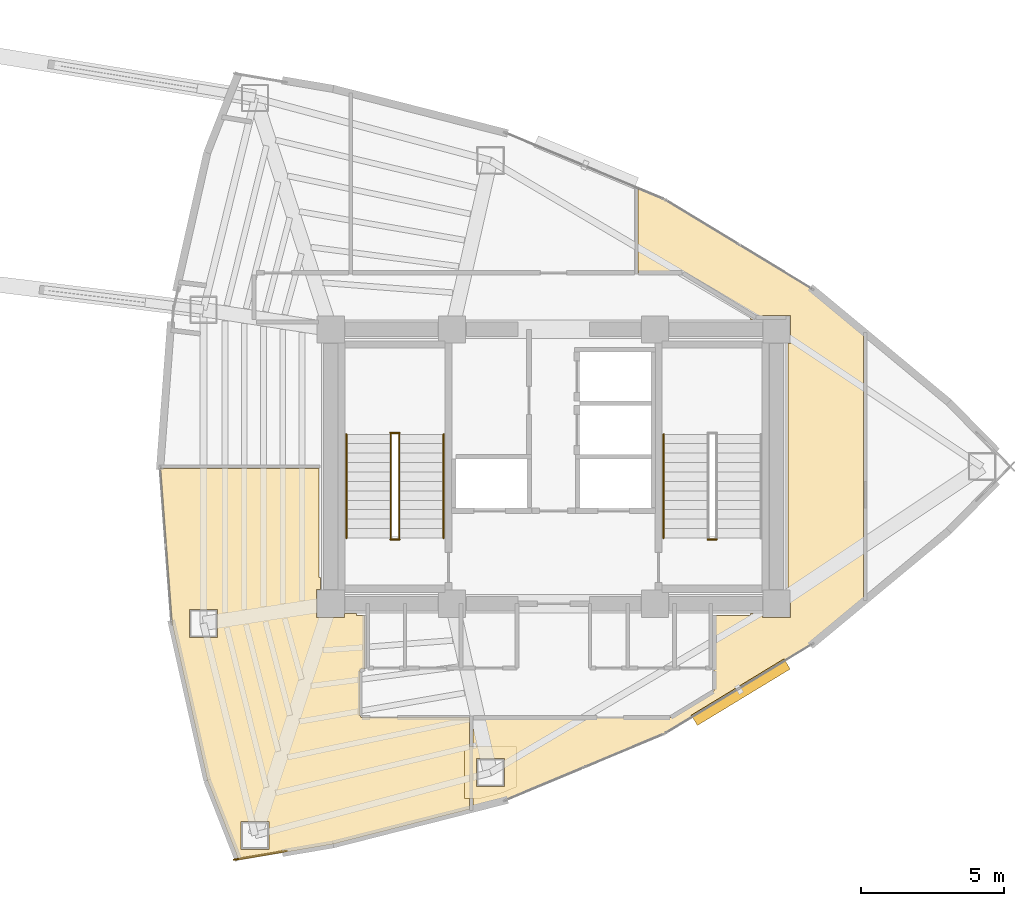
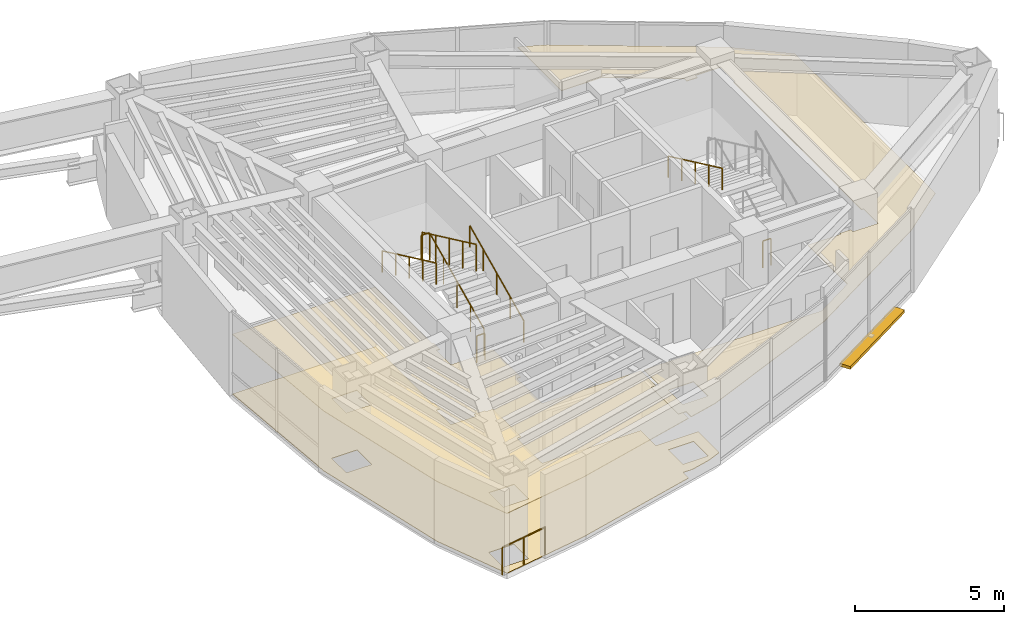
# One storey, part 13 of 14: 9 railings, 3 coverings, 1 shading device.
"""IFC4 building model written with IfcOpenShell, lengths in metres."""

from ifc_helpers import new_model, si_unit, direction, frame, origin, origin_2d, place, context, subcontext, project, spatial, polyline, rectangle, circle, outline, extrude, material, layer, layer_set, type_object, element, save


model = new_model("IFC4")

# Units and contexts
model_context = context("Model", 3, precision=1e-05, world=origin(), true_north=direction((0.0, 1.0)))
body_context = subcontext(model_context, "Body", "Model", "MODEL_VIEW")
ifc_project = project(units=[si_unit("LENGTHUNIT", "METRE"), si_unit("AREAUNIT", "SQUARE_METRE"), si_unit("VOLUMEUNIT", "CUBIC_METRE"), si_unit("PLANEANGLEUNIT", "RADIAN"), si_unit("MASSUNIT", "GRAM", prefix="KILO")], contexts=[model_context])

# Site, building, storey
site_placement = place(None, origin())
site = spatial("IfcSite", under=ifc_project, at=site_placement, CompositionType="ELEMENT")
building_placement = place(site_placement, origin())
building = spatial("IfcBuilding", under=site, at=building_placement, Name="Menara Vayukalpa", CompositionType="ELEMENT")
storey_placement = place(building_placement, frame((0.0, 0.0, 191.52001953125)))
storey = spatial("IfcBuildingStorey", under=building, at=storey_placement, Name="L48", CompositionType="ELEMENT", Elevation=191.52001953125)

# Coverings
ifc_material_1 = material(Name="Mineral Fibre Acoustic Ceiling Tile", Category="masonry")
ifc_layer_1 = layer(ifc_material_1, 0.02490234375)
ifc_layer_set_1 = layer_set([ifc_layer_1], Name="Mineral Fibre Acoustic Ceiling Tile")
covering_type_1 = type_object("IfcCoveringType", Name="COV-CLG1", PredefinedType="CEILING", material=ifc_layer_set_1)
covering_1_placement = place(storey_placement, frame((0.0, 0.0, 2.449951171875)))
element("IfcCovering", 1, at=covering_1_placement, inside=storey, type_object=covering_type_1, Name="L48 Departmental Archive Room Acoustic Ceiling", PredefinedType="CEILING", context=body_context, shape_type="SweptSolid", body=[
    extrude(outline(polyline([(24.29931640625, 10.78662109375), (23.799560546875, 10.57763671875), (23.03076171875, 10.381591796875), (22.664794921875, 10.381591796875), (22.664794921875, 10.017333984375), (22.664794921875, 10.016357421875), (22.664794921875, 10.015380859375), (22.664306640625, 10.014404296875), (22.6640625, 10.013427734375), (22.66357421875, 10.012451171875), (22.6630859375, 10.01171875), (22.66259765625, 10.010986328125), (22.661865234375, 10.010009765625), (22.660888671875, 10.009521484375), (22.66015625, 10.0087890625), (22.6591796875, 10.00830078125), (22.658203125, 10.008056640625), (22.657470703125, 10.0078125), (17.8798828125, 8.789306640625), (17.879150390625, 8.7890625), (14.59423828125, 8.2314453125), (14.59326171875, 8.231201171875), (14.59228515625, 8.231201171875), (14.59130859375, 8.2314453125), (14.59033203125, 8.2314453125), (14.58935546875, 8.231689453125), (14.58837890625, 8.232177734375), (14.587646484375, 8.232666015625), (14.5869140625, 8.233154296875), (14.5859375, 8.233642578125), (14.585205078125, 8.234375), (14.584716796875, 8.235107421875), (14.583984375, 8.23583984375), (14.58349609375, 8.23681640625), (14.583251953125, 8.237548828125), (13.489013671875, 11.023681640625), (13.48876953125, 11.0244140625), (13.488525390625, 11.025146484375), (12.25390625, 16.51171875), (12.25390625, 16.51318359375), (11.84765625, 21.92919921875), (11.84765625, 21.93017578125), (11.84765625, 21.93115234375), (11.847900390625, 21.93212890625), (11.84814453125, 21.93310546875), (11.848388671875, 21.93408203125), (11.848876953125, 21.934814453125), (11.849365234375, 21.935791015625), (11.849853515625, 21.936279296875), (11.8505859375, 21.93701171875), (11.851318359375, 21.937744140625), (11.85205078125, 21.9384765625), (11.852783203125, 21.93896484375), (11.853759765625, 21.939208984375), (11.854736328125, 21.939697265625), (11.855712890625, 21.939697265625), (11.856689453125, 21.93994140625), (11.857666015625, 21.93994140625), (17.3798828125, 21.93994140625), (17.381103515625, 21.93994140625), (17.382080078125, 21.939697265625), (17.3828125, 21.939697265625), (17.3837890625, 21.939208984375), (17.384765625, 21.938720703125), (17.385498046875, 21.938232421875), (17.38623046875, 21.937744140625), (17.38720703125, 21.93701171875), (17.3876953125, 21.936279296875), (17.38818359375, 21.935546875), (17.388916015625, 21.934814453125), (17.38916015625, 21.933837890625), (17.3896484375, 21.932861328125), (17.389892578125, 21.931884765625), (17.389892578125, 21.930908203125), (17.389892578125, 21.929931640625), (17.389892578125, 18.110107421875), (17.449951171875, 18.110107421875), (17.449951171875, 17.68994140625), (17.31005859375, 17.68994140625), (17.31005859375, 16.7099609375), (18.2900390625, 16.7099609375), (18.2900390625, 16.85009765625), (18.7099609375, 16.85009765625), (18.7099609375, 16.7900390625), (18.97998046875, 16.7900390625), (18.98095703125, 16.7900390625), (18.98193359375, 16.789794921875), (18.98291015625, 16.78955078125), (18.98388671875, 16.789306640625), (18.984619140625, 16.788818359375), (18.985595703125, 16.788330078125), (18.986328125, 16.78759765625), (18.987060546875, 16.787109375), (18.98779296875, 16.786376953125), (18.98828125, 16.78564453125), (18.98876953125, 16.78466796875), (18.9892578125, 16.78369140625), (18.989501953125, 16.782958984375), (18.98974609375, 16.781982421875), (18.989990234375, 16.781005859375), (18.989990234375, 16.780029296875), (18.989990234375, 14.929931640625), (18.989990234375, 14.928955078125), (18.98974609375, 14.927978515625), (18.989501953125, 14.927001953125), (18.9892578125, 14.92626953125), (18.98876953125, 14.92529296875), (18.98828125, 14.92431640625), (18.98779296875, 14.923583984375), (18.987060546875, 14.9228515625), (18.986328125, 14.92236328125), (18.985595703125, 14.921630859375), (18.984619140625, 14.921142578125), (18.98388671875, 14.9208984375), (18.98291015625, 14.92041015625), (18.98193359375, 14.920166015625), (18.98095703125, 14.919921875), (18.97998046875, 14.919921875), (18.900390625, 14.919921875), (18.893310546875, 14.919677734375), (18.88623046875, 14.918701171875), (18.879638671875, 14.9169921875), (18.873291015625, 14.914794921875), (18.866943359375, 14.911865234375), (18.861083984375, 14.908203125), (18.85546875, 14.904052734375), (18.8505859375, 14.8994140625), (18.845947265625, 14.89453125), (18.841796875, 14.888916015625), (18.838134765625, 14.883056640625), (18.835205078125, 14.876708984375), (18.8330078125, 14.870361328125), (18.831298828125, 14.86376953125), (18.830322265625, 14.856689453125), (18.830078125, 14.849609375), (18.830078125, 13.290283203125), (18.830322265625, 13.283203125), (18.831298828125, 13.2763671875), (18.8330078125, 13.269775390625), (18.835205078125, 13.26318359375), (18.838134765625, 13.257080078125), (18.841796875, 13.251220703125), (18.845947265625, 13.24560546875), (18.8505859375, 13.240478515625), (18.85546875, 13.236083984375), (18.861083984375, 13.231689453125), (18.866943359375, 13.228271484375), (18.873291015625, 13.225341796875), (18.879638671875, 13.222900390625), (18.88623046875, 13.22119140625), (18.893310546875, 13.220458984375), (18.900390625, 13.219970703125), (22.65478515625, 13.219970703125), (22.656005859375, 13.219970703125), (22.656982421875, 13.2197265625), (22.65771484375, 13.219482421875), (22.65869140625, 13.21923828125), (22.65966796875, 13.21875), (22.660400390625, 13.21826171875), (22.6611328125, 13.2177734375), (22.662109375, 13.217041015625), (22.66259765625, 13.21630859375), (22.6630859375, 13.215576171875), (22.663818359375, 13.214599609375), (22.6640625, 13.2138671875), (22.66455078125, 13.212890625), (22.664794921875, 13.2119140625), (22.664794921875, 13.2109375), (22.664794921875, 13.2099609375), (22.664794921875, 12.20166015625), (24.29931640625, 12.20166015625), (24.29931640625, 10.78662109375)]), holes=[polyline([(15.644775390625, 9.58740234375), (14.664794921875, 9.58740234375), (14.664794921875, 8.607421875), (15.644775390625, 8.607421875), (15.644775390625, 9.58740234375)]), polyline([(13.833984375, 17.000732421875), (12.85400390625, 17.000732421875), (12.85400390625, 16.020751953125), (13.833984375, 16.020751953125), (13.833984375, 17.000732421875)]), polyline([(23.87939453125, 11.781494140625), (22.8994140625, 11.781494140625), (22.8994140625, 10.801513671875), (23.87939453125, 10.801513671875), (23.87939453125, 11.781494140625)])]), origin(), (0.0, 0.0, 1.0), 0.025146484375),
])
covering_2_placement = place(storey_placement, frame((0.0, 0.0, 2.449951171875)))
element("IfcCovering", 2, at=covering_2_placement, inside=storey, type_object=covering_type_1, Name="L48 Staff Dining and Pantry Acoustic Ceiling", PredefinedType="CEILING", context=body_context, shape_type="SweptSolid", body=[
    extrude(outline(polyline([(22.784912109375, 13.2099609375), (22.784912109375, 13.2109375), (22.78515625, 13.2119140625), (22.785400390625, 13.212890625), (22.78564453125, 13.2138671875), (22.7861328125, 13.214599609375), (22.78662109375, 13.215576171875), (22.787109375, 13.21630859375), (22.787841796875, 13.217041015625), (22.78857421875, 13.2177734375), (22.789306640625, 13.21826171875), (22.790283203125, 13.21875), (22.791015625, 13.21923828125), (22.7919921875, 13.219482421875), (22.79296875, 13.2197265625), (22.7939453125, 13.219970703125), (22.794921875, 13.219970703125), (29.667236328125, 13.219970703125), (29.673828125, 13.22021484375), (29.68017578125, 13.22119140625), (29.686279296875, 13.22265625), (29.6923828125, 13.224609375), (29.6982421875, 13.22705078125), (29.7041015625, 13.230224609375), (31.18603515625, 14.130615234375), (31.1923828125, 14.134765625), (31.19775390625, 14.139404296875), (31.20263671875, 14.14453125), (31.20703125, 14.150146484375), (31.2109375, 14.15625), (31.214111328125, 14.16259765625), (31.216552734375, 14.16943359375), (31.218505859375, 14.176513671875), (31.219482421875, 14.183349609375), (31.219970703125, 14.19091796875), (31.219970703125, 14.849609375), (31.219482421875, 14.856689453125), (31.21875, 14.86376953125), (31.217041015625, 14.870361328125), (31.214599609375, 14.876708984375), (31.2119140625, 14.8828125), (31.211669921875, 14.883056640625), (31.211181640625, 14.8837890625), (31.210693359375, 14.884765625), (31.21044921875, 14.8857421875), (31.210205078125, 14.88671875), (31.2099609375, 14.8876953125), (31.2099609375, 14.888671875), (31.2099609375, 16.780029296875), (31.2099609375, 16.781005859375), (31.210205078125, 16.781982421875), (31.21044921875, 16.782958984375), (31.210693359375, 16.78369140625), (31.211181640625, 16.78466796875), (31.211669921875, 16.78564453125), (31.21240234375, 16.786376953125), (31.212890625, 16.787109375), (31.213623046875, 16.78759765625), (31.21435546875, 16.788330078125), (31.21533203125, 16.788818359375), (31.21630859375, 16.789306640625), (31.217041015625, 16.78955078125), (31.218017578125, 16.789794921875), (31.218994140625, 16.7900390625), (31.219970703125, 16.7900390625), (32.489990234375, 16.7900390625), (32.489990234375, 16.85009765625), (32.909912109375, 16.85009765625), (32.909912109375, 16.7099609375), (33.889892578125, 16.7099609375), (33.889892578125, 17.68994140625), (33.81005859375, 17.68994140625), (33.81005859375, 26.31005859375), (33.889892578125, 26.31005859375), (33.889892578125, 27.2900390625), (32.909912109375, 27.2900390625), (32.909912109375, 27.14990234375), (32.489990234375, 27.14990234375), (32.489990234375, 27.322265625), (30.12353515625, 28.759765625), (30.117919921875, 28.762939453125), (30.112060546875, 28.765380859375), (30.10595703125, 28.767333984375), (30.099609375, 28.768798828125), (30.093505859375, 28.769775390625), (30.0869140625, 28.77001953125), (28.570068359375, 28.77001953125), (28.569091796875, 28.77001953125), (28.568115234375, 28.770263671875), (28.567138671875, 28.7705078125), (28.566162109375, 28.770751953125), (28.565185546875, 28.771240234375), (28.564453125, 28.771728515625), (28.563720703125, 28.772216796875), (28.56298828125, 28.77294921875), (28.562255859375, 28.773681640625), (28.561767578125, 28.7744140625), (28.561279296875, 28.775390625), (28.560791015625, 28.776123046875), (28.560302734375, 28.777099609375), (28.560302734375, 28.778076171875), (28.56005859375, 28.779052734375), (28.56005859375, 28.780029296875), (28.56005859375, 31.708740234375), (28.56005859375, 31.709716796875), (28.560302734375, 31.710693359375), (28.560302734375, 31.711669921875), (28.560791015625, 31.71240234375), (28.561279296875, 31.71337890625), (28.561767578125, 31.71435546875), (28.562255859375, 31.715087890625), (28.56298828125, 31.7158203125), (28.563720703125, 31.71630859375), (28.564453125, 31.717041015625), (28.565185546875, 31.717529296875), (28.566162109375, 31.718017578125), (28.567138671875, 31.71826171875), (28.568115234375, 31.718505859375), (28.569091796875, 31.71875), (28.570068359375, 31.71875), (28.571044921875, 31.718505859375), (28.572021484375, 31.718505859375), (28.572998046875, 31.71826171875), (28.573974609375, 31.718017578125), (29.478515625, 31.33935546875), (29.479248046875, 31.339111328125), (29.47998046875, 31.338623046875), (34.660888671875, 28.19140625), (34.662109375, 28.190673828125), (36.438720703125, 26.71728515625), (36.439208984375, 26.716796875), (36.43994140625, 26.7158203125), (36.440673828125, 26.715087890625), (36.441162109375, 26.714111328125), (36.44140625, 26.71337890625), (36.44189453125, 26.71240234375), (36.442138671875, 26.711181640625), (36.442138671875, 26.710205078125), (36.442138671875, 26.709228515625), (36.442138671875, 26.708251953125), (36.44189453125, 26.707275390625), (36.441162109375, 26.7041015625), (36.440185546875, 26.6982421875), (36.43994140625, 26.6923828125), (36.43994140625, 17.3076171875), (36.440185546875, 17.3017578125), (36.441162109375, 17.2958984375), (36.44189453125, 17.292724609375), (36.442138671875, 17.291748046875), (36.442138671875, 17.290771484375), (36.442138671875, 17.289794921875), (36.442138671875, 17.288818359375), (36.44189453125, 17.28759765625), (36.44140625, 17.28662109375), (36.441162109375, 17.285888671875), (36.440673828125, 17.284912109375), (36.43994140625, 17.2841796875), (36.439208984375, 17.283203125), (36.438720703125, 17.28271484375), (34.662109375, 15.809326171875), (34.660888671875, 15.80859375), (29.47998046875, 12.661376953125), (29.479248046875, 12.660888671875), (29.478515625, 12.66064453125), (23.885986328125, 10.3212890625), (23.884765625, 10.32080078125), (22.79736328125, 10.04345703125), (22.79638671875, 10.043212890625), (22.79541015625, 10.043212890625), (22.79443359375, 10.043212890625), (22.793701171875, 10.043212890625), (22.79248046875, 10.04345703125), (22.791748046875, 10.043701171875), (22.790771484375, 10.0439453125), (22.7900390625, 10.04443359375), (22.7890625, 10.044921875), (22.788330078125, 10.04541015625), (22.78759765625, 10.046142578125), (22.787109375, 10.046875), (22.78662109375, 10.047607421875), (22.785888671875, 10.048583984375), (22.78564453125, 10.04931640625), (22.785400390625, 10.05029296875), (22.78515625, 10.05126953125), (22.784912109375, 10.052001953125), (22.784912109375, 10.052978515625), (22.784912109375, 10.381591796875), (22.4794921875, 10.381591796875), (22.4794921875, 12.20166015625), (22.784912109375, 12.20166015625), (22.784912109375, 13.2099609375)]), holes=[polyline([(23.87939453125, 11.781494140625), (22.8994140625, 11.781494140625), (22.8994140625, 10.801513671875), (23.87939453125, 10.801513671875), (23.87939453125, 11.781494140625)])]), origin(), (0.0, 0.0, 1.0), 0.025146484375),
])
ifc_material_2 = material(Name="Porcelain Stoneware Floor Tile", Category="masonry")
ifc_layer_2 = layer(ifc_material_2, 0.02001953125)
ifc_layer_set_2 = layer_set([ifc_layer_2], Name="Porcelain Stoneware Floor Tile")
covering_type_2 = type_object("IfcCoveringType", Name="COV-FLR1", PredefinedType="FLOORING", material=ifc_layer_set_2)
covering_3_placement = place(storey_placement, origin())
element("IfcCovering", 3, at=covering_3_placement, inside=storey, type_object=covering_type_2, Name="L48 Departmental Archive Room Porcelain Flooring", PredefinedType="FLOORING", context=body_context, shape_type="SweptSolid", body=[
    extrude(outline(polyline([(24.29931640625, 10.78662109375), (23.799560546875, 10.57763671875), (23.03076171875, 10.381591796875), (22.664794921875, 10.381591796875), (22.664794921875, 10.017333984375), (22.664794921875, 10.016357421875), (22.664794921875, 10.015380859375), (22.664306640625, 10.014404296875), (22.6640625, 10.013427734375), (22.66357421875, 10.012451171875), (22.6630859375, 10.01171875), (22.66259765625, 10.010986328125), (22.661865234375, 10.010009765625), (22.660888671875, 10.009521484375), (22.66015625, 10.0087890625), (22.6591796875, 10.00830078125), (22.658203125, 10.008056640625), (22.657470703125, 10.0078125), (17.8798828125, 8.789306640625), (17.879150390625, 8.7890625), (14.59423828125, 8.2314453125), (14.59326171875, 8.231201171875), (14.59228515625, 8.231201171875), (14.59130859375, 8.2314453125), (14.59033203125, 8.2314453125), (14.58935546875, 8.231689453125), (14.58837890625, 8.232177734375), (14.587646484375, 8.232666015625), (14.5869140625, 8.233154296875), (14.5859375, 8.233642578125), (14.585205078125, 8.234375), (14.584716796875, 8.235107421875), (14.583984375, 8.23583984375), (14.58349609375, 8.23681640625), (14.583251953125, 8.237548828125), (13.489013671875, 11.023681640625), (13.48876953125, 11.0244140625), (13.488525390625, 11.025146484375), (12.25390625, 16.51171875), (12.25390625, 16.51318359375), (11.84765625, 21.92919921875), (11.84765625, 21.93017578125), (11.84765625, 21.93115234375), (11.847900390625, 21.93212890625), (11.84814453125, 21.93310546875), (11.848388671875, 21.93408203125), (11.848876953125, 21.934814453125), (11.849365234375, 21.935791015625), (11.849853515625, 21.936279296875), (11.8505859375, 21.93701171875), (11.851318359375, 21.937744140625), (11.85205078125, 21.9384765625), (11.852783203125, 21.93896484375), (11.853759765625, 21.939208984375), (11.854736328125, 21.939697265625), (11.855712890625, 21.939697265625), (11.856689453125, 21.93994140625), (11.857666015625, 21.93994140625), (17.3798828125, 21.93994140625), (17.381103515625, 21.93994140625), (17.382080078125, 21.939697265625), (17.3828125, 21.939697265625), (17.3837890625, 21.939208984375), (17.384765625, 21.938720703125), (17.385498046875, 21.938232421875), (17.38623046875, 21.937744140625), (17.38720703125, 21.93701171875), (17.3876953125, 21.936279296875), (17.38818359375, 21.935546875), (17.388916015625, 21.934814453125), (17.38916015625, 21.933837890625), (17.3896484375, 21.932861328125), (17.389892578125, 21.931884765625), (17.389892578125, 21.930908203125), (17.389892578125, 21.929931640625), (17.389892578125, 18.110107421875), (17.449951171875, 18.110107421875), (17.449951171875, 17.68994140625), (17.31005859375, 17.68994140625), (17.31005859375, 16.7099609375), (18.2900390625, 16.7099609375), (18.2900390625, 16.85009765625), (18.7099609375, 16.85009765625), (18.7099609375, 16.7900390625), (18.97998046875, 16.7900390625), (18.98095703125, 16.7900390625), (18.98193359375, 16.789794921875), (18.98291015625, 16.78955078125), (18.98388671875, 16.789306640625), (18.984619140625, 16.788818359375), (18.985595703125, 16.788330078125), (18.986328125, 16.78759765625), (18.987060546875, 16.787109375), (18.98779296875, 16.786376953125), (18.98828125, 16.78564453125), (18.98876953125, 16.78466796875), (18.9892578125, 16.78369140625), (18.989501953125, 16.782958984375), (18.98974609375, 16.781982421875), (18.989990234375, 16.781005859375), (18.989990234375, 16.780029296875), (18.989990234375, 14.929931640625), (18.989990234375, 14.928955078125), (18.98974609375, 14.927978515625), (18.989501953125, 14.927001953125), (18.9892578125, 14.92626953125), (18.98876953125, 14.92529296875), (18.98828125, 14.92431640625), (18.98779296875, 14.923583984375), (18.987060546875, 14.9228515625), (18.986328125, 14.92236328125), (18.985595703125, 14.921630859375), (18.984619140625, 14.921142578125), (18.98388671875, 14.9208984375), (18.98291015625, 14.92041015625), (18.98193359375, 14.920166015625), (18.98095703125, 14.919921875), (18.97998046875, 14.919921875), (18.900390625, 14.919921875), (18.893310546875, 14.919677734375), (18.88623046875, 14.918701171875), (18.879638671875, 14.9169921875), (18.873291015625, 14.914794921875), (18.866943359375, 14.911865234375), (18.861083984375, 14.908203125), (18.85546875, 14.904052734375), (18.8505859375, 14.8994140625), (18.845947265625, 14.89453125), (18.841796875, 14.888916015625), (18.838134765625, 14.883056640625), (18.835205078125, 14.876708984375), (18.8330078125, 14.870361328125), (18.831298828125, 14.86376953125), (18.830322265625, 14.856689453125), (18.830078125, 14.849609375), (18.830078125, 13.290283203125), (18.830322265625, 13.283203125), (18.831298828125, 13.2763671875), (18.8330078125, 13.269775390625), (18.835205078125, 13.26318359375), (18.838134765625, 13.257080078125), (18.841796875, 13.251220703125), (18.845947265625, 13.24560546875), (18.8505859375, 13.240478515625), (18.85546875, 13.236083984375), (18.861083984375, 13.231689453125), (18.866943359375, 13.228271484375), (18.873291015625, 13.225341796875), (18.879638671875, 13.222900390625), (18.88623046875, 13.22119140625), (18.893310546875, 13.220458984375), (18.900390625, 13.219970703125), (22.65478515625, 13.219970703125), (22.656005859375, 13.219970703125), (22.656982421875, 13.2197265625), (22.65771484375, 13.219482421875), (22.65869140625, 13.21923828125), (22.65966796875, 13.21875), (22.660400390625, 13.21826171875), (22.6611328125, 13.2177734375), (22.662109375, 13.217041015625), (22.66259765625, 13.21630859375), (22.6630859375, 13.215576171875), (22.663818359375, 13.214599609375), (22.6640625, 13.2138671875), (22.66455078125, 13.212890625), (22.664794921875, 13.2119140625), (22.664794921875, 13.2109375), (22.664794921875, 13.2099609375), (22.664794921875, 12.20166015625), (24.29931640625, 12.20166015625), (24.29931640625, 10.78662109375)]), holes=[polyline([(15.644775390625, 9.58740234375), (14.664794921875, 9.58740234375), (14.664794921875, 8.607421875), (15.644775390625, 8.607421875), (15.644775390625, 9.58740234375)]), polyline([(13.833984375, 17.000732421875), (12.85400390625, 17.000732421875), (12.85400390625, 16.020751953125), (13.833984375, 16.020751953125), (13.833984375, 17.000732421875)]), polyline([(23.87939453125, 11.781494140625), (22.8994140625, 11.781494140625), (22.8994140625, 10.801513671875), (23.87939453125, 10.801513671875), (23.87939453125, 11.781494140625)])]), origin(), (0.0, 0.0, 1.0), 0.02001953125),
])

# Railings
ifc_material_3 = material(Name="Laminated Glass and Stainless Steel 316 Guardrail", Category="steel")
railing_type_1 = type_object("IfcRailingType", Name="RLG-EXT115", PredefinedType="GUARDRAIL", material=ifc_material_3)
railing_1_placement = place(storey_placement, frame((14.413818359375, 8.241455078125, 0.0)))
element("IfcRailing", 4, at=railing_1_placement, inside=storey, type_object=railing_type_1, Name="L48 Column Corner Spandrel Guardrail 14-1", PredefinedType="GUARDRAIL", context=body_context, shape_type="SweptSolid", body=[
    extrude(circle(Radius=0.02392578125, at=origin_2d()), frame((0.0, 0.0, 1.1259765625), z_axis=(0.985895107684, 0.167364382844, 0.0), x_axis=(-0.167364382844, 0.985895107684, 0.0)), (0.0, 0.0, 1.0), 1.86865234375),
    extrude(circle(Radius=0.02099609375, at=origin_2d()), origin(), (0.0, 0.0, 1.0), 1.101806640625),
    extrude(circle(Radius=0.02099609375, at=origin_2d()), frame((0.921142578125, 0.15625, 0.0)), (0.0, 0.0, 1.0), 1.101806640625),
    extrude(circle(Radius=0.02099609375, at=origin_2d()), frame((1.84228515625, 0.312744140625, 0.0)), (0.0, 0.0, 1.0), 1.101806640625),
])
ifc_material_4 = material(Name="Powder-Coated Galvanised Steel Guardrail", Category="steel")
railing_type_2 = type_object("IfcRailingType", Name="RLG-STG110", PredefinedType="GUARDRAIL", material=ifc_material_4)
railing_2_placement = place(storey_placement, frame((20.199951171875, 19.5, 0.155029296875)))
element("IfcRailing", 5, at=railing_2_placement, inside=storey, type_object=railing_type_2, Name="L48 ST-1 stair guard 1", PredefinedType="GUARDRAIL", context=body_context, shape_type="SweptSolid", body=[
    extrude(circle(Radius=0.02392578125, at=origin_2d()), frame((0.0, 0.0, 1.09619140625), z_axis=(0.0, 0.90513990983, 0.425113800803), x_axis=(-1.0, 0.0, 0.0)), (0.0, 0.0, 1.0), 4.01025390625),
    extrude(circle(Radius=0.02099609375, at=origin_2d()), origin(), (0.0, 0.0, 1.0), 1.072021484375),
    extrude(circle(Radius=0.02099609375, at=origin_2d()), frame((0.0, 0.907470703125, 0.42626953125)), (0.0, 0.0, 1.0), 1.072021484375),
    extrude(circle(Radius=0.02099609375, at=origin_2d()), frame((0.0, 1.81494140625, 0.8525390625)), (0.0, 0.0, 1.0), 1.072021484375),
    extrude(circle(Radius=0.02099609375, at=origin_2d()), frame((0.0, 2.722412109375, 1.278564453125)), (0.0, 0.0, 1.0), 1.072021484375),
    extrude(circle(Radius=0.02099609375, at=origin_2d()), frame((0.0, 3.6298828125, 1.704833984375)), (0.0, 0.0, 1.0), 1.072021484375),
])
railing_3_placement = place(storey_placement, frame((20.2099609375, 23.179931640625, 1.85986328125)))
element("IfcRailing", 6, at=railing_3_placement, inside=storey, type_object=railing_type_2, Name="L48 ST-1 stair guard 2", PredefinedType="GUARDRAIL", context=body_context, shape_type="SweptSolid", body=[
    extrude(circle(Radius=0.02392578125, at=origin_2d()), frame((0.0, 0.0, 1.09619140625), z_axis=(-1.0, 0.0, 0.0), x_axis=(0.0, -1.0, 0.0)), (0.0, 0.0, 1.0), 0.320068359375),
    extrude(circle(Radius=0.02099609375, at=origin_2d()), origin(), (0.0, 0.0, 1.0), 1.072021484375),
    extrude(circle(Radius=0.02099609375, at=origin_2d()), frame((-0.320068359375, 0.0, 0.0)), (0.0, 0.0, 1.0), 1.072021484375),
])
railing_4_placement = place(storey_placement, frame((19.89990234375, 23.1298828125, 2.014892578125)))
element("IfcRailing", 7, at=railing_4_placement, inside=storey, type_object=railing_type_2, Name="L48 ST-1 stair guard 3", PredefinedType="GUARDRAIL", context=body_context, shape_type="SweptSolid", body=[
    extrude(circle(Radius=0.02392578125, at=origin_2d()), frame((0.0, 0.0, 1.09619140625), z_axis=(0.0, -0.90511648382, 0.425163675209), x_axis=(1.0, 0.0, 0.0)), (0.0, 0.0, 1.0), 4.010498046875),
    extrude(circle(Radius=0.02099609375, at=origin_2d()), origin(), (0.0, 0.0, 1.0), 1.072021484375),
    extrude(circle(Radius=0.02099609375, at=origin_2d()), frame((0.0, -0.907470703125, 0.42626953125)), (0.0, 0.0, 1.0), 1.072021484375),
    extrude(circle(Radius=0.02099609375, at=origin_2d()), frame((0.0, -1.81494140625, 0.8525390625)), (0.0, 0.0, 1.0), 1.072021484375),
    extrude(circle(Radius=0.02099609375, at=origin_2d()), frame((0.0, -2.722412109375, 1.27880859375)), (0.0, 0.0, 1.0), 1.072021484375),
    extrude(circle(Radius=0.02099609375, at=origin_2d()), frame((0.0, -3.6298828125, 1.705078125)), (0.0, 0.0, 1.0), 1.072021484375),
])
for number, where, name in (
    (8, (20.2099609375, 19.449951171875, 0.0), "L48 ST-1 stair guard 4"),
    (9, (31.31005859375, 19.449951171875, 0.0), "L48 ST-2 stair guard 4"),
):
    element("IfcRailing", number, at=place(storey_placement, frame(where)), inside=storey, type_object=railing_type_2, Name=name, PredefinedType="GUARDRAIL", context=body_context, shape_type="SweptSolid", body=[
        extrude(circle(Radius=0.02392578125, at=origin_2d()), frame((0.0, 0.0, 1.09619140625), z_axis=(-1.0, 0.0, 0.0), x_axis=(0.0, -1.0, 0.0)), (0.0, 0.0, 1.0), 0.320068359375),
        extrude(circle(Radius=0.02099609375, at=origin_2d()), origin(), (0.0, 0.0, 1.0), 1.072021484375),
        extrude(circle(Radius=0.02099609375, at=origin_2d()), frame((-0.320068359375, 0.0, 0.0)), (0.0, 0.0, 1.0), 1.072021484375),
    ])
ifc_material_5 = material(Name="Stainless Steel 316 Tubular Handrail", Category="steel")
railing_type_3 = type_object("IfcRailingType", Name="RLG-STH090", PredefinedType="HANDRAIL", material=ifc_material_5)
railing_5_placement = place(storey_placement, frame((21.75, 19.5, 0.155029296875)))
element("IfcRailing", 10, at=railing_5_placement, inside=storey, type_object=railing_type_3, Name="L48 ST-1 stair handrail 1", PredefinedType="HANDRAIL", context=body_context, shape_type="SweptSolid", body=[
    extrude(circle(Radius=0.02392578125, at=origin_2d()), frame((0.0, 0.0, 0.8759765625), z_axis=(0.0, 0.90513990983, 0.425113800803), x_axis=(-1.0, 0.0, 0.0)), (0.0, 0.0, 1.0), 4.01025390625),
    extrude(circle(Radius=0.02099609375, at=origin_2d()), origin(), (0.0, 0.0, 1.0), 0.851806640625),
    extrude(circle(Radius=0.02099609375, at=origin_2d()), frame((0.0, 0.907470703125, 0.42626953125)), (0.0, 0.0, 1.0), 0.851806640625),
    extrude(circle(Radius=0.02099609375, at=origin_2d()), frame((0.0, 1.81494140625, 0.8525390625)), (0.0, 0.0, 1.0), 0.851806640625),
    extrude(circle(Radius=0.02099609375, at=origin_2d()), frame((0.0, 2.722412109375, 1.278564453125)), (0.0, 0.0, 1.0), 0.851806640625),
    extrude(circle(Radius=0.02099609375, at=origin_2d()), frame((0.0, 3.6298828125, 1.704833984375)), (0.0, 0.0, 1.0), 0.851806640625),
])
for number, where, name in (
    (11, (18.35009765625, 23.1298828125, 2.014892578125), "L48 ST-1 stair handrail 2"),
    (12, (29.449951171875, 23.1298828125, 2.014892578125), "L48 ST-2 stair handrail 2"),
):
    element("IfcRailing", number, at=place(storey_placement, frame(where)), inside=storey, type_object=railing_type_3, Name=name, PredefinedType="HANDRAIL", context=body_context, shape_type="SweptSolid", body=[
        extrude(circle(Radius=0.02392578125, at=origin_2d()), frame((0.0, 0.0, 0.8759765625), z_axis=(0.0, -0.90511648382, 0.425163675209), x_axis=(1.0, 0.0, 0.0)), (0.0, 0.0, 1.0), 4.010498046875),
        extrude(circle(Radius=0.02099609375, at=origin_2d()), origin(), (0.0, 0.0, 1.0), 0.851806640625),
        extrude(circle(Radius=0.02099609375, at=origin_2d()), frame((0.0, -0.907470703125, 0.42626953125)), (0.0, 0.0, 1.0), 0.851806640625),
        extrude(circle(Radius=0.02099609375, at=origin_2d()), frame((0.0, -1.81494140625, 0.8525390625)), (0.0, 0.0, 1.0), 0.851806640625),
        extrude(circle(Radius=0.02099609375, at=origin_2d()), frame((0.0, -2.722412109375, 1.27880859375)), (0.0, 0.0, 1.0), 0.851806640625),
        extrude(circle(Radius=0.02099609375, at=origin_2d()), frame((0.0, -3.6298828125, 1.705078125)), (0.0, 0.0, 1.0), 0.851806640625),
    ])

# Shading device
ifc_material_6 = material(Name="Glazed Terracotta Ceramic Baguette Extrusion", Category="masonry")
ifc_layer_3 = layer(ifc_material_6, 0.1201171875)
ifc_layer_set_3 = layer_set([ifc_layer_3], Name="Glazed Terracotta Ceramic Baguette Extrusion")
shading_device_type = type_object("IfcShadingDeviceType", Name="SHD-SS1", PredefinedType="USERDEFINED", material=ifc_layer_set_3)
shading_device_placement = place(storey_placement, frame((32.148193359375, 14.106689453125, -0.10009765625), z_axis=(0.0, 0.0, 1.0), x_axis=(0.85466730962, 0.519176068272, 0.0)))
element("IfcShadingDevice", 13, at=shading_device_placement, inside=storey, type_object=shading_device_type, Name="L48 Horizontal Terracotta Sunshade Band 17", ObjectType="SUNSHADE", PredefinedType="USERDEFINED", context=body_context, shape_type="SweptSolid", body=[
    extrude(rectangle(XDim=3.800048828125, YDim=0.419921875, at=origin_2d()), origin(), (0.0, 0.0, 1.0), 0.1201171875),
])

save(model, "model.ifc")
